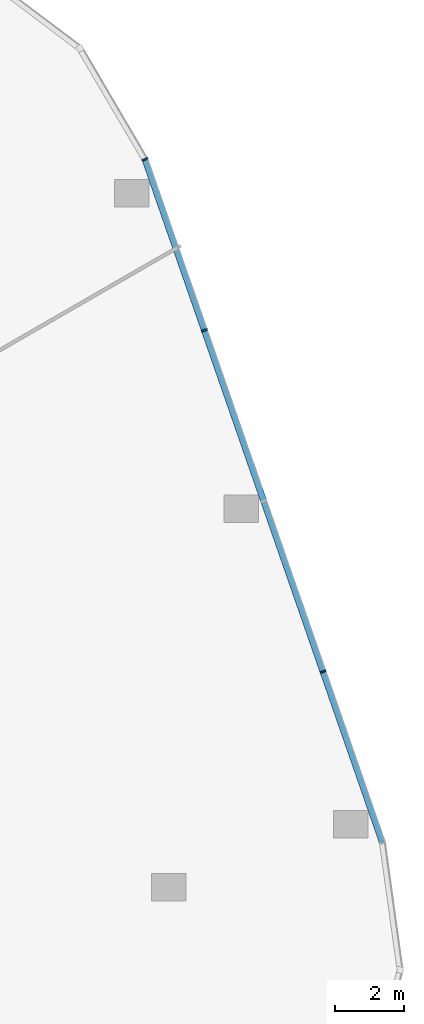
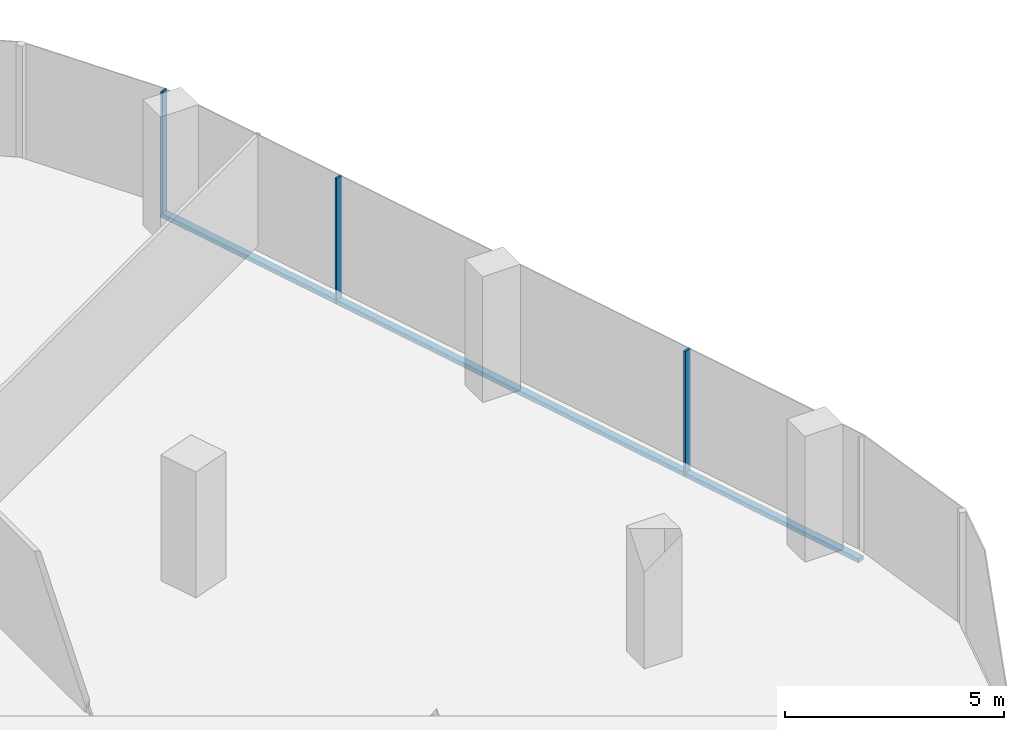
# One storey, part 9 of 24: 4 members, 1 element without a shape of its own.
"""IFC4 building model written with IfcOpenShell, lengths in metres."""

from ifc_helpers import new_model, si_unit, direction, frame, origin, origin_2d, place, context, subcontext, project, spatial, rectangle, extrude, material, material_profile, profile_set, type_object, element, aggregate, save


model = new_model("IFC4")

# Units and contexts
model_context = context("Model", 3, precision=1e-05, world=origin(), true_north=direction((0.0, 1.0)))
body_context = subcontext(model_context, "Body", "Model", "MODEL_VIEW")
ifc_project = project(units=[si_unit("LENGTHUNIT", "METRE"), si_unit("AREAUNIT", "SQUARE_METRE"), si_unit("VOLUMEUNIT", "CUBIC_METRE"), si_unit("PLANEANGLEUNIT", "RADIAN"), si_unit("MASSUNIT", "GRAM", prefix="KILO")], contexts=[model_context])

# Site, building, storey
site_placement = place(None, origin())
site = spatial("IfcSite", under=ifc_project, at=site_placement, CompositionType="ELEMENT")
building_placement = place(site_placement, origin())
building = spatial("IfcBuilding", under=site, at=building_placement, Name="Orlundy Tower", CompositionType="ELEMENT")
storey_placement = place(building_placement, frame((0.0, 0.0, 239.0)))
storey = spatial("IfcBuildingStorey", under=building, at=storey_placement, Name="L63", CompositionType="ELEMENT", Elevation=239.0)

# Curtain wall, members
ifc_material_1 = material(Name="Aluminium bronze anodised", Category="aluminium")
curtain_wall_type = type_object("IfcCurtainWallType", Name="CW1 wall", PredefinedType="NOTDEFINED", material=ifc_material_1)
curtain_wall_placement = place(storey_placement, origin())
curtain_wall = element("IfcCurtainWall", 1, at=curtain_wall_placement, inside=storey, type_object=curtain_wall_type, Name="CW1 run 023", PredefinedType="NOTDEFINED")
ifc_material_2 = material(Name="Aluminium bronze anodised", Category="aluminium")
ifc_material_profile_1 = material_profile(ifc_material_2, rectangle(XDim=0.179931640625, YDim=0.050048828125, at=origin_2d()), Name="CW1 mullion 50x180")
ifc_profile_set_1 = profile_set([ifc_material_profile_1], Name="Aluminium bronze anodised")
member_type_1 = type_object("IfcMemberType", Name="CW1 mullion 50x180", PredefinedType="MULLION", material=ifc_profile_set_1)
member_1_placement = place(storey_placement, frame((34.89013671875, 23.2529296875, -0.39990234375), z_axis=(0.0, 0.0, 1.0), x_axis=(0.907812384653, 0.419376530425, 0.0)))
member_1 = element("IfcMember", 2, at=member_1_placement, type_object=member_type_1, Name="CW1 mullion 45", PredefinedType="MULLION", context=body_context, shape_type="SweptSolid", body=[
    extrude(rectangle(XDim=0.179931640625, YDim=0.050048828125, at=origin_2d()), origin(), (0.0, 0.0, 1.0), 3.5),
])
member_2_placement = place(storey_placement, frame((36.616455078125, 18.28564453125, -0.39990234375), z_axis=(0.0, 0.0, 1.0), x_axis=(0.944577712924, 0.328287898416, 0.0)))
member_2 = element("IfcMember", 3, at=member_2_placement, type_object=member_type_1, Name="CW1 mullion 46", PredefinedType="MULLION", context=body_context, shape_type="SweptSolid", body=[
    extrude(rectangle(XDim=0.179931640625, YDim=0.050048828125, at=origin_2d()), origin(), (0.0, 0.0, 1.0), 3.5),
])
member_3_placement = place(storey_placement, frame((40.0634765625, 8.367431640625, -0.39990234375), z_axis=(0.0, 0.0, 1.0), x_axis=(0.944577712924, 0.328287898416, 0.0)))
member_3 = element("IfcMember", 4, at=member_3_placement, type_object=member_type_1, Name="CW1 mullion 48", PredefinedType="MULLION", context=body_context, shape_type="SweptSolid", body=[
    extrude(rectangle(XDim=0.179931640625, YDim=0.050048828125, at=origin_2d()), origin(), (0.0, 0.0, 1.0), 3.5),
])
ifc_material_3 = material(Name="Aluminium bronze anodised", Category="aluminium")
ifc_material_profile_2 = material_profile(ifc_material_3, rectangle(XDim=0.179931640625, YDim=0.1201171875, at=origin_2d()), Name="CW1 transom 180x120")
ifc_profile_set_2 = profile_set([ifc_material_profile_2], Name="Aluminium bronze anodised")
member_type_2 = type_object("IfcMemberType", Name="CW1 transom 180x120", PredefinedType="USERDEFINED", material=ifc_profile_set_2)
member_4_placement = place(storey_placement, frame((34.8984375, 23.229248046875, -0.340087890625), z_axis=(0.328284872243, -0.944578764665, 0.0), x_axis=(0.944578764665, 0.328284872243, 0.0)))
member_4 = element("IfcMember", 5, at=member_4_placement, type_object=member_type_2, Name="CW1 transom", ObjectType="TRANSOM", PredefinedType="USERDEFINED", context=body_context, shape_type="SweptSolid", body=[
    extrude(rectangle(XDim=0.179931640625, YDim=0.1201171875, at=origin_2d()), origin(), (0.0, 0.0, 1.0), 20.967529296875),
])
aggregate(curtain_wall, [member_1, member_2, member_3, member_4])

save(model, "model.ifc")
